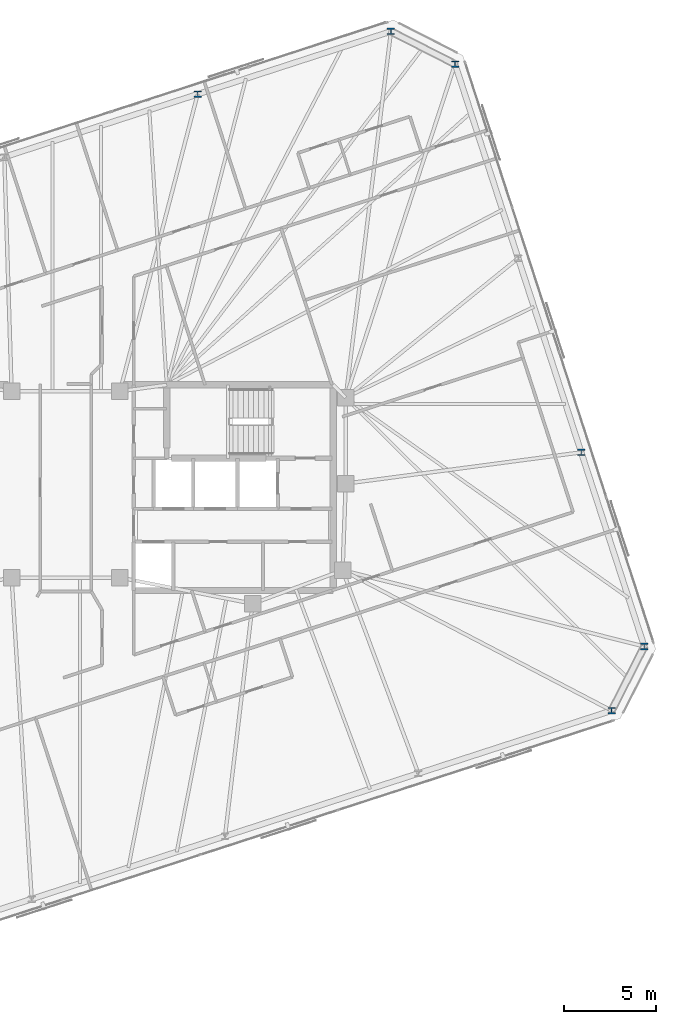
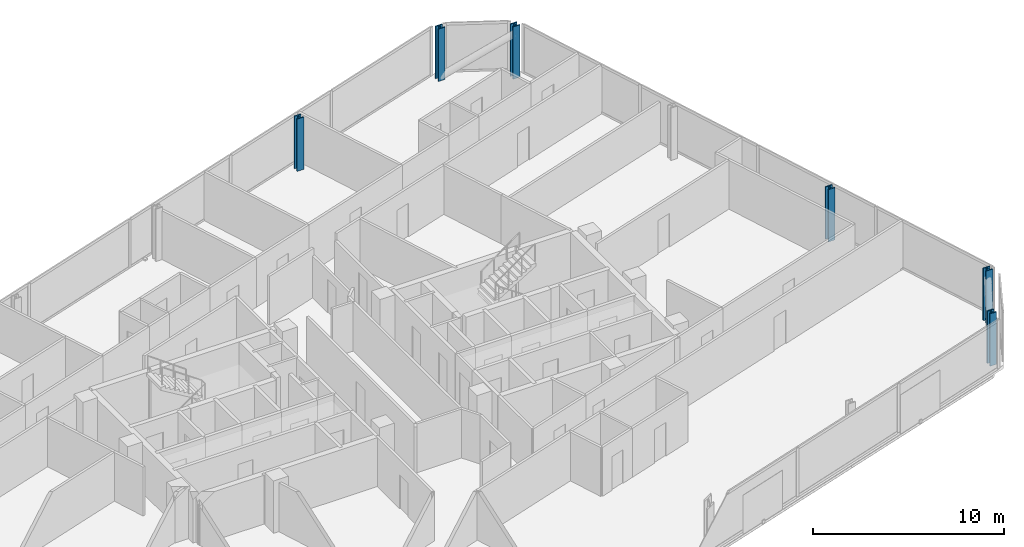
# One storey, part 4 of 19: 6 columns.
"""IFC4 building model written with IfcOpenShell, lengths in metres."""

from ifc_helpers import new_model, si_unit, direction, frame, origin, origin_2d, place, context, subcontext, project, spatial, i_section, extrude, material, material_profile, profile_set, type_object, element, save


model = new_model("IFC4")

# Units and contexts
model_context = context("Model", 3, precision=1e-05, world=origin(), true_north=direction((0.0, 1.0)))
body_context = subcontext(model_context, "Body", "Model", "MODEL_VIEW")
ifc_project = project(units=[si_unit("LENGTHUNIT", "METRE"), si_unit("AREAUNIT", "SQUARE_METRE"), si_unit("VOLUMEUNIT", "CUBIC_METRE"), si_unit("PLANEANGLEUNIT", "RADIAN"), si_unit("MASSUNIT", "GRAM", prefix="KILO")], contexts=[model_context])

# Site, building, storey
site_placement = place(None, origin())
site = spatial("IfcSite", under=ifc_project, at=site_placement, CompositionType="ELEMENT")
building_placement = place(site_placement, origin())
building = spatial("IfcBuilding", under=site, at=building_placement, Name="Menara Jurai Vektor", CompositionType="ELEMENT")
storey_placement = place(building_placement, frame((0.0, 0.0, 210.89990234375)))
storey = spatial("IfcBuildingStorey", under=building, at=storey_placement, Name="L55", CompositionType="ELEMENT", Elevation=210.89990234375)

# Columns
ifc_material = material(Name="Steel S460", Category="steel")
ifc_material_profile = material_profile(ifc_material, i_section(OverallWidth=0.405029296875, OverallDepth=0.35498046875, WebThickness=0.0419921875, FlangeThickness=0.068115234375, FilletRadius=0.014892578125, at=origin_2d()), Name="HD 400x551")
ifc_profile_set = profile_set([ifc_material_profile], Name="Steel S460")
column_type = type_object("IfcColumnType", Name="STR-EXO-BLK4", PredefinedType="COLUMN", material=ifc_profile_set)
for number, where, z_axis, x_axis, name in (
    (1, (29.733642578125, -12.14501953125, 0.0), (0.0, 0.0, 1.0), (1.0, 0.0, 0.0), "Exoskeleton Column BLK4-S6 L55"),
    (2, (31.513427734375, -8.652099609375, 0.0), (0.0, 0.0, 1.0), (1.0, 0.0, 0.0), "Exoskeleton Column BLK4-E1 L55"),
    (3, (28.07763671875, 1.92236328125, 0.0), (0.0, 0.0, 1.0), (1.0, 0.0, 0.0), "Exoskeleton Column BLK4-E2 L55"),
    (4, (21.2060546875, 23.071044921875, 0.0), (0.0, 0.0, 1.0), (1.0, 0.0, 0.0), "Exoskeleton Column BLK4-E4 L55"),
    (5, (17.712890625, 24.85107421875, 0.0), (0.0, 0.0, 1.0), (1.0, 0.0, 0.0), "Exoskeleton Column BLK4-N1 L55"),
    (6, (7.18359375, 21.4296875, 0.0), (0.0, 0.0, 1.0), (1.0, 0.0, 0.0), "Exoskeleton Column BLK4-N2 L55"),
):
    element("IfcColumn", number, at=place(storey_placement, frame(where, z_axis=z_axis, x_axis=x_axis)), inside=storey, type_object=column_type, Name=name, PredefinedType="COLUMN", context=body_context, shape_type="SweptSolid", body=[
        extrude(i_section(OverallWidth=0.405029296875, OverallDepth=0.35498046875, WebThickness=0.0419921875, FlangeThickness=0.068115234375, FilletRadius=0.014892578125, at=origin_2d()), origin(), (0.0, 0.0, 1.0), 3.35009765625),
    ])

save(model, "model.ifc")
